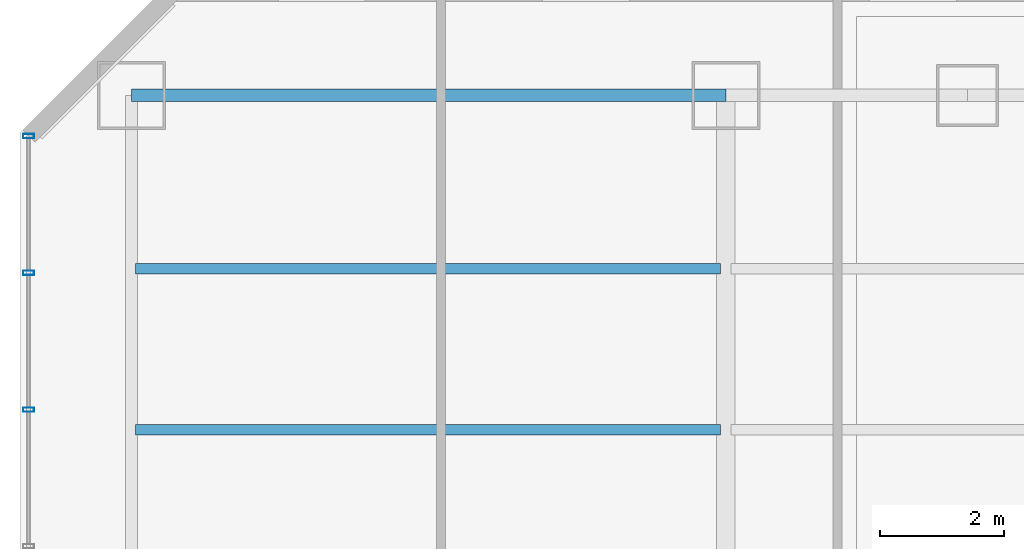
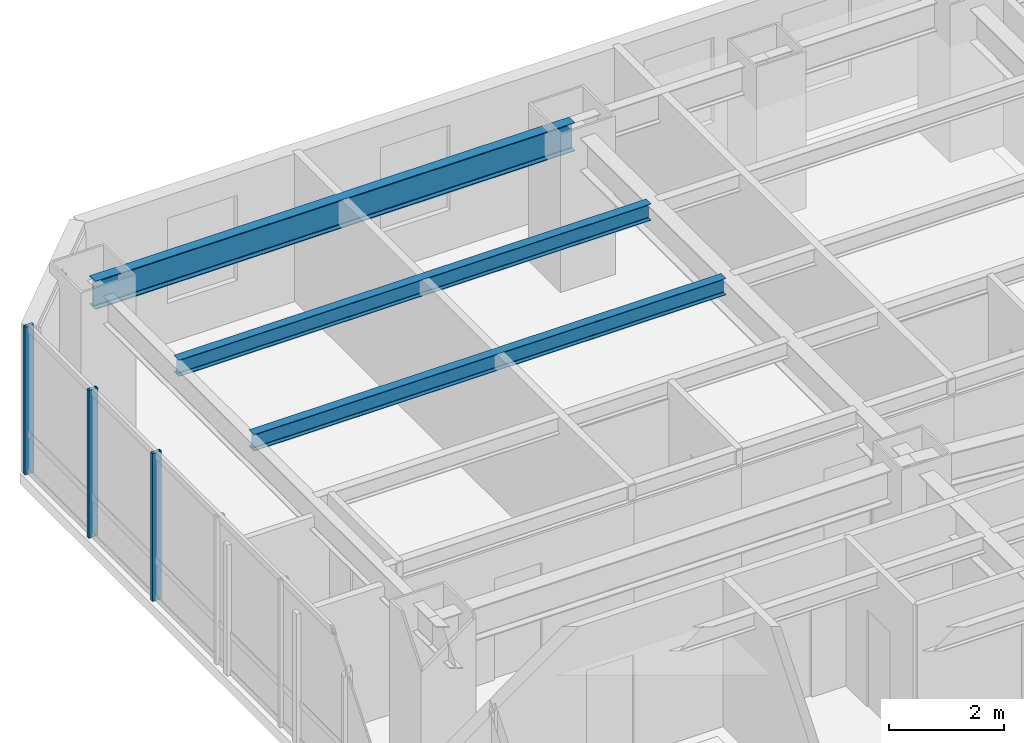
# One storey, part 22 of 38: 3 beams, 3 members, 1 element without a shape of its own.
"""IFC4 building model written with IfcOpenShell, lengths in metres."""

from ifc_helpers import new_model, si_unit, direction, frame, origin, origin_2d, place, context, subcontext, project, spatial, hollow_rectangle, i_section, extrude, material, layer, layer_set, material_profile, profile_set, type_object, element, aggregate, save


model = new_model("IFC4")

# Units and contexts
model_context = context("Model", 3, precision=1e-05, world=origin(), true_north=direction((0.0, 1.0)))
body_context = subcontext(model_context, "Body", "Model", "MODEL_VIEW")
ifc_project = project(units=[si_unit("LENGTHUNIT", "METRE"), si_unit("AREAUNIT", "SQUARE_METRE"), si_unit("VOLUMEUNIT", "CUBIC_METRE"), si_unit("PLANEANGLEUNIT", "RADIAN"), si_unit("MASSUNIT", "GRAM", prefix="KILO")], contexts=[model_context])

# Site, building, storey
site_placement = place(None, origin())
site = spatial("IfcSite", under=ifc_project, at=site_placement, CompositionType="ELEMENT")
building_placement = place(site_placement, origin())
building = spatial("IfcBuilding", under=site, at=building_placement, Name="Hatsunagi Terrace Concourse", CompositionType="ELEMENT")
storey_placement = place(building_placement, frame((0.0, 0.0, 63.39990234375)))
storey = spatial("IfcBuildingStorey", under=building, at=storey_placement, Name="L16", CompositionType="ELEMENT", Elevation=63.39990234375)

# Curtain wall, members
ifc_material_1 = material(Name="Anodised Aluminium Alloy 6063-T5", Category="aluminium")
ifc_layer = layer(ifc_material_1, 0.199951171875)
ifc_layer_set = layer_set([ifc_layer], Name="HotelFacade_CW02")
curtain_wall_type = type_object("IfcCurtainWallType", Name="HotelFacade_CW02", PredefinedType="NOTDEFINED", material=ifc_layer_set)
curtain_wall_placement = place(storey_placement, origin())
curtain_wall = element("IfcCurtainWall", 1, at=curtain_wall_placement, inside=storey, type_object=curtain_wall_type, Name="Unitised Curtain Wall CW-02 CW-L16-09", PredefinedType="NOTDEFINED")
ifc_material_2 = material(Name="Anodised Aluminium Alloy 6063-T5", Category="aluminium")
ifc_material_profile_1 = material_profile(ifc_material_2, hollow_rectangle(XDim=0.070068359375, YDim=0.179931640625, WallThickness=0.00390625, at=origin_2d()), Name="ALU-MUL-180x70x4")
ifc_profile_set_1 = profile_set([ifc_material_profile_1], Name="Anodised Aluminium Alloy 6063-T5")
member_type = type_object("IfcMemberType", Name="CurtainWallMullion_180x70", PredefinedType="MULLION", material=ifc_profile_set_1)
member_1_placement = place(storey_placement, frame((0.139892578125, 43.52490234375, 0.0), z_axis=(0.0, 0.0, 1.0), x_axis=(0.0, 1.0, 0.0)))
member_1 = element("IfcMember", 2, at=member_1_placement, type_object=member_type, Name="Curtain Wall Mullion MUL-02", PredefinedType="MULLION", context=body_context, shape_type="SweptSolid", body=[
    extrude(hollow_rectangle(XDim=0.070068359375, YDim=0.179931640625, WallThickness=0.00390625, at=origin_2d()), origin(), (0.0, 0.0, 1.0), 3.130126953125),
])
member_2_placement = place(storey_placement, frame((0.139892578125, 45.73388671875, 0.0), z_axis=(0.0, 0.0, 1.0), x_axis=(0.0, 1.0, 0.0)))
member_2 = element("IfcMember", 3, at=member_2_placement, type_object=member_type, Name="Curtain Wall Mullion MUL-02", PredefinedType="MULLION", context=body_context, shape_type="SweptSolid", body=[
    extrude(hollow_rectangle(XDim=0.070068359375, YDim=0.179931640625, WallThickness=0.00390625, at=origin_2d()), origin(), (0.0, 0.0, 1.0), 3.130126953125),
])
member_3_placement = place(storey_placement, frame((0.139892578125, 47.94189453125, 0.0), z_axis=(0.0, 0.0, 1.0), x_axis=(0.0, 1.0, 0.0)))
member_3 = element("IfcMember", 4, at=member_3_placement, type_object=member_type, Name="Curtain Wall Mullion MUL-02", PredefinedType="MULLION", context=body_context, shape_type="SweptSolid", body=[
    extrude(hollow_rectangle(XDim=0.070068359375, YDim=0.179931640625, WallThickness=0.00390625, at=origin_2d()), origin(), (0.0, 0.0, 1.0), 3.130126953125),
])
aggregate(curtain_wall, [member_1, member_2, member_3])

# Beams
ifc_material_3 = material(Name="Steel SN490B", Category="steel")
ifc_material_profile_2 = material_profile(ifc_material_3, i_section(OverallWidth=0.175048828125, OverallDepth=0.35009765625, WebThickness=0.007080078125, FlangeThickness=0.010986328125, FilletRadius=0.012939453125, at=origin_2d()), Name="H-350x175x7x11")
ifc_profile_set_2 = profile_set([ifc_material_profile_2], Name="Steel SN490B")
beam_type_1 = type_object("IfcBeamType", Name="HotelJoist_H_350x175", PredefinedType="JOIST", material=ifc_profile_set_2)
for number, where, z_axis, x_axis, name in (
    (5, (1.864990234375, 43.199951171875, 2.955078125), (1.0, 0.0, 0.0), (0.0, 1.0, 0.0), "Beam J-02 J-L16-W-1-432"),
    (6, (1.864990234375, 45.800048828125, 2.955078125), (1.0, 0.0, 0.0), (0.0, 1.0, 0.0), "Beam J-02 J-L16-W-1-458"),
):
    element("IfcBeam", number, at=place(storey_placement, frame(where, z_axis=z_axis, x_axis=x_axis)), inside=storey, type_object=beam_type_1, Name=name, PredefinedType="JOIST", context=body_context, shape_type="SweptSolid", body=[
        extrude(i_section(OverallWidth=0.175048828125, OverallDepth=0.35009765625, WebThickness=0.007080078125, FlangeThickness=0.010986328125, FilletRadius=0.012939453125, at=origin_2d()), origin(), (0.0, 0.0, 1.0), 9.449951171875),
    ])
ifc_material_4 = material(Name="Steel SN490B", Category="steel")
ifc_material_profile_3 = material_profile(ifc_material_4, i_section(OverallWidth=0.199951171875, OverallDepth=0.60009765625, WebThickness=0.010986328125, FlangeThickness=0.01708984375, FilletRadius=0.01806640625, at=origin_2d()), Name="H-600x200x11x17")
ifc_profile_set_3 = profile_set([ifc_material_profile_3], Name="Steel SN490B")
beam_type_2 = type_object("IfcBeamType", Name="PerimeterSpandrel_H_600x200", PredefinedType="SPANDREL", material=ifc_profile_set_3)
beam_placement = place(storey_placement, frame((1.800048828125, 48.60009765625, 2.830078125), z_axis=(1.0, 0.0, 0.0), x_axis=(0.0, 1.0, 0.0)))
element("IfcBeam", 7, at=beam_placement, inside=storey, type_object=beam_type_2, Name="Beam SP-01 BM-L16-WN-1", PredefinedType="SPANDREL", context=body_context, shape_type="SweptSolid", body=[
    extrude(i_section(OverallWidth=0.199951171875, OverallDepth=0.60009765625, WebThickness=0.010986328125, FlangeThickness=0.01708984375, FilletRadius=0.01806640625, at=origin_2d()), origin(), (0.0, 0.0, 1.0), 9.599853515625),
])

save(model, "model.ifc")
